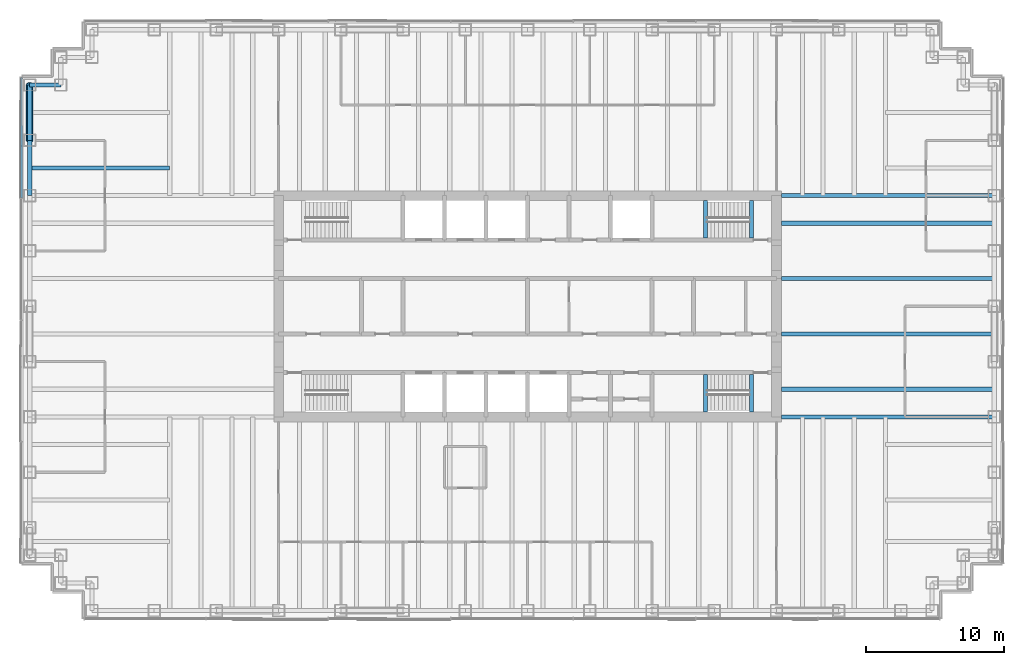
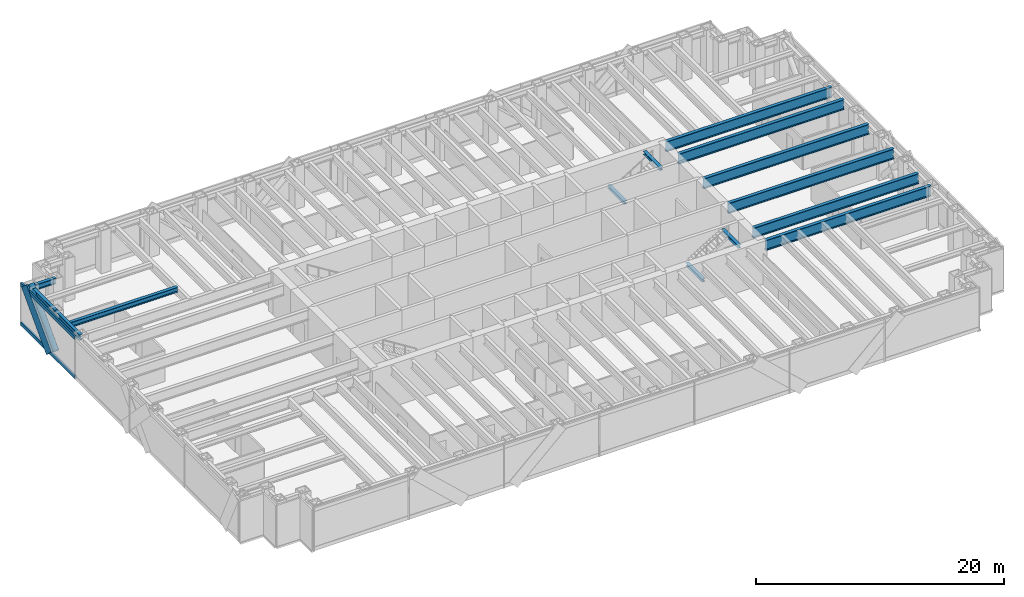
# One storey, part 5 of 15: 14 beams, 4 members, 1 element without a shape of its own.
"""IFC4 building model written with IfcOpenShell, lengths in metres."""

from ifc_helpers import new_model, si_unit, direction, frame, origin, origin_2d, place, context, subcontext, project, spatial, rectangle, hollow_circle, i_section, extrude, material, material_profile, profile_set, type_object, element, aggregate, save


model = new_model("IFC4")

# Units and contexts
model_context = context("Model", 3, precision=1e-05, world=origin(), true_north=direction((0.0, 1.0)))
body_context = subcontext(model_context, "Body", "Model", "MODEL_VIEW")
ifc_project = project(units=[si_unit("LENGTHUNIT", "METRE"), si_unit("AREAUNIT", "SQUARE_METRE"), si_unit("VOLUMEUNIT", "CUBIC_METRE"), si_unit("PLANEANGLEUNIT", "RADIAN"), si_unit("MASSUNIT", "GRAM", prefix="KILO")], contexts=[model_context])

# Site, building, storey
site_placement = place(None, origin())
site = spatial("IfcSite", under=ifc_project, at=site_placement, CompositionType="ELEMENT")
building_placement = place(site_placement, origin())
building = spatial("IfcBuilding", under=site, at=building_placement, Name="Rheinbord Bourse Tower", CompositionType="ELEMENT")
storey_placement = place(building_placement, frame((0.0, 0.0, 292.10009765625)))
storey = spatial("IfcBuildingStorey", under=building, at=storey_placement, Name="L66", CompositionType="ELEMENT", Elevation=292.10009765625)

# Curtain wall, members
ifc_material_1 = material(Name="Dark glass and black aluminium", Category="aluminium")
curtain_wall_type = type_object("IfcCurtainWallType", Name="CW3 DARK GLASS CURTAIN WALL", PredefinedType="USERDEFINED", material=ifc_material_1)
curtain_wall_placement = place(storey_placement, origin())
curtain_wall = element("IfcCurtainWall", 1, at=curtain_wall_placement, inside=storey, type_object=curtain_wall_type, Name="Curtain wall CW3 W L66", ObjectType="UNITISED CURTAIN WALL", PredefinedType="USERDEFINED")
ifc_material_2 = material(Name="Black anodised aluminium", Category="aluminium")
ifc_material_profile_1 = material_profile(ifc_material_2, rectangle(XDim=0.14990234375, YDim=1.10791015625, at=origin_2d()), Name="CW3 DIAGONAL MULLION 1108x150")
ifc_profile_set_1 = profile_set([ifc_material_profile_1], Name="Black anodised aluminium")
member_type_1 = type_object("IfcMemberType", Name="CW3 BLACK DIAGONAL MULLION", PredefinedType="USERDEFINED", material=ifc_profile_set_1)
member_1_placement = place(storey_placement, frame((-0.60009765625, 36.0, 0.0), z_axis=(0.0, 0.689659376744, 0.724133926887), x_axis=(-1.0, 0.0, 0.0)))
member_1 = element("IfcMember", 2, at=member_1_placement, type_object=member_type_1, Name="CW3 diagonal mullion d", ObjectType="DIAGONAL MULLION", PredefinedType="USERDEFINED", context=body_context, shape_type="SweptSolid", body=[
    extrude(rectangle(XDim=0.14990234375, YDim=1.10791015625, at=origin_2d()), origin(), (0.0, 0.0, 1.0), 5.800048828125),
])
ifc_material_3 = material(Name="Black anodised aluminium", Category="aluminium")
ifc_material_profile_2 = material_profile(ifc_material_3, rectangle(XDim=0.14990234375, YDim=0.35009765625, at=origin_2d()), Name="CW3 TRANSOM 350x150")
ifc_profile_set_2 = profile_set([ifc_material_profile_2], Name="Black anodised aluminium")
member_type_2 = type_object("IfcMemberType", Name="CW3 BLACK TRANSOM", PredefinedType="USERDEFINED", material=ifc_profile_set_2)
member_2_placement = place(storey_placement, frame((-0.60009765625, 40.534912109375, 0.1748046875), z_axis=(0.0, -1.0, 0.0), x_axis=(1.0, 0.0, 0.0)))
member_2 = element("IfcMember", 3, at=member_2_placement, type_object=member_type_2, Name="CW3 transom 1.1", ObjectType="TRANSOM", PredefinedType="USERDEFINED", context=body_context, shape_type="SweptSolid", body=[
    extrude(rectangle(XDim=0.14990234375, YDim=0.35009765625, at=origin_2d()), origin(), (0.0, 0.0, 1.0), 8.702392578125),
])
member_3_placement = place(storey_placement, frame((-0.60009765625, 40.534912109375, 4.02490234375), z_axis=(0.0, -1.0, 0.0), x_axis=(1.0, 0.0, 0.0)))
member_3 = element("IfcMember", 4, at=member_3_placement, type_object=member_type_2, Name="CW3 transom 1.2", ObjectType="TRANSOM", PredefinedType="USERDEFINED", context=body_context, shape_type="SweptSolid", body=[
    extrude(rectangle(XDim=0.14990234375, YDim=0.35009765625, at=origin_2d()), origin(), (0.0, 0.0, 1.0), 8.702392578125),
])
aggregate(curtain_wall, [member_2, member_3, member_1])

# Beams
ifc_material_4 = material(Name="Steel S460", Category="steel")
ifc_material_profile_3 = material_profile(ifc_material_4, i_section(OverallWidth=0.302001953125, OverallDepth=1.008056640625, WebThickness=0.02099609375, FlangeThickness=0.0400390625, at=origin_2d()), Name="HEM 1000")
ifc_profile_set_3 = profile_set([ifc_material_profile_3], Name="Steel S460")
beam_type_1 = type_object("IfcBeamType", Name="END BEAM HEM 1000", PredefinedType="BEAM", material=ifc_profile_set_3)
for number, where, z_axis, x_axis, name in (
    (5, (54.35009765625, 18.0, 3.535888671875), (1.0, 0.0, 0.0), (0.0, 1.0, 0.0), "End beam east 18 L67"),
    (6, (54.35009765625, 22.0, 3.535888671875), (1.0, 0.0, 0.0), (0.0, 1.0, 0.0), "End beam east 22 L67"),
    (7, (54.35009765625, 26.0, 3.535888671875), (1.0, 0.0, 0.0), (0.0, 1.0, 0.0), "End beam east 26 L67"),
    (8, (54.35009765625, 30.0, 3.535888671875), (1.0, 0.0, 0.0), (0.0, 1.0, 0.0), "End beam east 30 L67"),
):
    element("IfcBeam", number, at=place(storey_placement, frame(where, z_axis=z_axis, x_axis=x_axis)), inside=storey, type_object=beam_type_1, Name=name, PredefinedType="BEAM", context=body_context, shape_type="SweptSolid", body=[
        extrude(i_section(OverallWidth=0.302001953125, OverallDepth=1.008056640625, WebThickness=0.02099609375, FlangeThickness=0.0400390625, at=origin_2d()), origin(), (0.0, 0.0, 1.0), 15.39990234375),
    ])
ifc_material_5 = material(Name="Steel S460", Category="steel")
ifc_material_profile_4 = material_profile(ifc_material_5, i_section(OverallWidth=0.302001953125, OverallDepth=1.008056640625, WebThickness=0.02099609375, FlangeThickness=0.0400390625, at=origin_2d()), Name="HEM 1000")
ifc_profile_set_4 = profile_set([ifc_material_profile_4], Name="Steel S460")
beam_type_2 = type_object("IfcBeamType", Name="GIRDER HEM 1000", PredefinedType="BEAM", material=ifc_profile_set_4)
for number, where, z_axis, x_axis, name in (
    (9, (54.35009765625, 16.0, 3.535888671875), (1.0, 0.0, 0.0), (0.0, 1.0, 0.0), "Girder east 16 L67"),
    (10, (54.35009765625, 32.0, 3.535888671875), (1.0, 0.0, 0.0), (0.0, 1.0, 0.0), "Girder east 32 L67"),
):
    element("IfcBeam", number, at=place(storey_placement, frame(where, z_axis=z_axis, x_axis=x_axis)), inside=storey, type_object=beam_type_2, Name=name, PredefinedType="BEAM", context=body_context, shape_type="SweptSolid", body=[
        extrude(i_section(OverallWidth=0.302001953125, OverallDepth=1.008056640625, WebThickness=0.02099609375, FlangeThickness=0.0400390625, at=origin_2d()), origin(), (0.0, 0.0, 1.0), 15.39990234375),
    ])
ifc_material_6 = material(Name="Steel S460", Category="steel")
ifc_material_profile_5 = material_profile(ifc_material_6, i_section(OverallWidth=0.300048828125, OverallDepth=0.300048828125, WebThickness=0.010986328125, FlangeThickness=0.01904296875, at=origin_2d()), Name="HEB 300")
ifc_profile_set_5 = profile_set([ifc_material_profile_5], Name="Steel S460")
beam_type_3 = type_object("IfcBeamType", Name="LANDING TRIMMER HEB 300", PredefinedType="BEAM", material=ifc_profile_set_5)
for number, where, z_axis, x_axis, name in (
    (11, (48.8701171875, 16.35009765625, 1.75), (0.0, 1.0, 0.0), (-1.0, 0.0, 0.0), "Landing trimmer ST3 L66"),
    (12, (52.199951171875, 16.35009765625, 3.889892578125), (0.0, 1.0, 0.0), (-1.0, 0.0, 0.0), "Well trimmer ST3 under L67"),
    (13, (48.8701171875, 28.949951171875, 1.75), (0.0, 1.0, 0.0), (-1.0, 0.0, 0.0), "Landing trimmer ST4 L66"),
    (14, (52.199951171875, 28.949951171875, 3.889892578125), (0.0, 1.0, 0.0), (-1.0, 0.0, 0.0), "Well trimmer ST4 under L67"),
):
    element("IfcBeam", number, at=place(storey_placement, frame(where, z_axis=z_axis, x_axis=x_axis)), inside=storey, type_object=beam_type_3, Name=name, PredefinedType="BEAM", context=body_context, shape_type="SweptSolid", body=[
        extrude(i_section(OverallWidth=0.300048828125, OverallDepth=0.300048828125, WebThickness=0.010986328125, FlangeThickness=0.01904296875, at=origin_2d()), origin(), (0.0, 0.0, 1.0), 2.699951171875),
    ])

# Member
ifc_material_7 = material(Name="Steel S460", Category="steel")
ifc_material_profile_6 = material_profile(ifc_material_7, hollow_circle(Radius=0.25390625, WallThickness=0.030029296875, at=origin_2d()), Name="CHS 508x30")
ifc_profile_set_6 = profile_set([ifc_material_profile_6], Name="Steel S460")
member_type_3 = type_object("IfcMemberType", Name="MEGABRACE CHS 508x30", PredefinedType="BRACE", material=ifc_profile_set_6)
member_4_placement = place(storey_placement, frame((0.0, 36.0, 0.0), z_axis=(0.0, 0.689659376744, 0.724133926887), x_axis=(-1.0, 0.0, 0.0)))
element("IfcMember", 15, at=member_4_placement, inside=storey, type_object=member_type_3, Name="Megabrace W face line d L66", PredefinedType="BRACE", context=body_context, shape_type="SweptSolid", body=[
    extrude(hollow_circle(Radius=0.25390625, WallThickness=0.030029296875, at=origin_2d()), origin(), (0.0, 0.0, 1.0), 5.800048828125),
])

# Beams
ifc_material_8 = material(Name="Steel S460", Category="steel")
ifc_material_profile_7 = material_profile(ifc_material_8, i_section(OverallWidth=0.300048828125, OverallDepth=0.550048828125, WebThickness=0.014892578125, FlangeThickness=0.029052734375, at=origin_2d()), Name="HEB 550")
ifc_profile_set_7 = profile_set([ifc_material_profile_7], Name="Steel S460")
beam_type_4 = type_object("IfcBeamType", Name="SPANDREL HEB 550", PredefinedType="SPANDREL", material=ifc_profile_set_7)
beam_1_placement = place(storey_placement, frame((2.25, 40.0, 3.764892578125), z_axis=(-1.0, 0.0, 0.0), x_axis=(0.0, -1.0, 0.0)))
element("IfcBeam", 16, at=beam_1_placement, inside=storey, type_object=beam_type_4, Name="Spandrel NW-B-NW-A under L67", PredefinedType="SPANDREL", context=body_context, shape_type="SweptSolid", body=[
    extrude(i_section(OverallWidth=0.300048828125, OverallDepth=0.550048828125, WebThickness=0.014892578125, FlangeThickness=0.029052734375, at=origin_2d()), origin(), (0.0, 0.0, 1.0), 2.25),
])
for number, where, z_axis, x_axis, name in (
    (17, (0.0, 40.0, 3.764892578125), (0.0, -1.0, 0.0), (1.0, 0.0, 0.0), "Spandrel NW-A-W-36 under L67"),
    (18, (0.0, 36.0, 3.764892578125), (0.0, -1.0, 0.0), (1.0, 0.0, 0.0), "Spandrel W-36-W-32 under L67"),
):
    element("IfcBeam", number, at=place(storey_placement, frame(where, z_axis=z_axis, x_axis=x_axis)), inside=storey, type_object=beam_type_4, Name=name, PredefinedType="SPANDREL", context=body_context, shape_type="SweptSolid", body=[
        extrude(i_section(OverallWidth=0.300048828125, OverallDepth=0.550048828125, WebThickness=0.014892578125, FlangeThickness=0.029052734375, at=origin_2d()), origin(), (0.0, 0.0, 1.0), 4.0),
    ])
ifc_material_9 = material(Name="Steel S460", Category="steel")
ifc_material_profile_8 = material_profile(ifc_material_9, i_section(OverallWidth=0.300048828125, OverallDepth=0.5, WebThickness=0.014404296875, FlangeThickness=0.028076171875, at=origin_2d()), Name="HEB 500")
ifc_profile_set_8 = profile_set([ifc_material_profile_8], Name="Steel S460")
beam_type_5 = type_object("IfcBeamType", Name="TIE BEAM HEB 500", PredefinedType="JOIST", material=ifc_profile_set_8)
beam_2_placement = place(storey_placement, frame((0.0, 34.0, 3.789794921875), z_axis=(1.0, 0.0, 0.0), x_axis=(0.0, 1.0, 0.0)))
element("IfcBeam", 19, at=beam_2_placement, inside=storey, type_object=beam_type_5, Name="Tie west 34 L67", PredefinedType="JOIST", context=body_context, shape_type="SweptSolid", body=[
    extrude(i_section(OverallWidth=0.300048828125, OverallDepth=0.5, WebThickness=0.014404296875, FlangeThickness=0.028076171875, at=origin_2d()), origin(), (0.0, 0.0, 1.0), 10.125),
])

save(model, "model.ifc")
